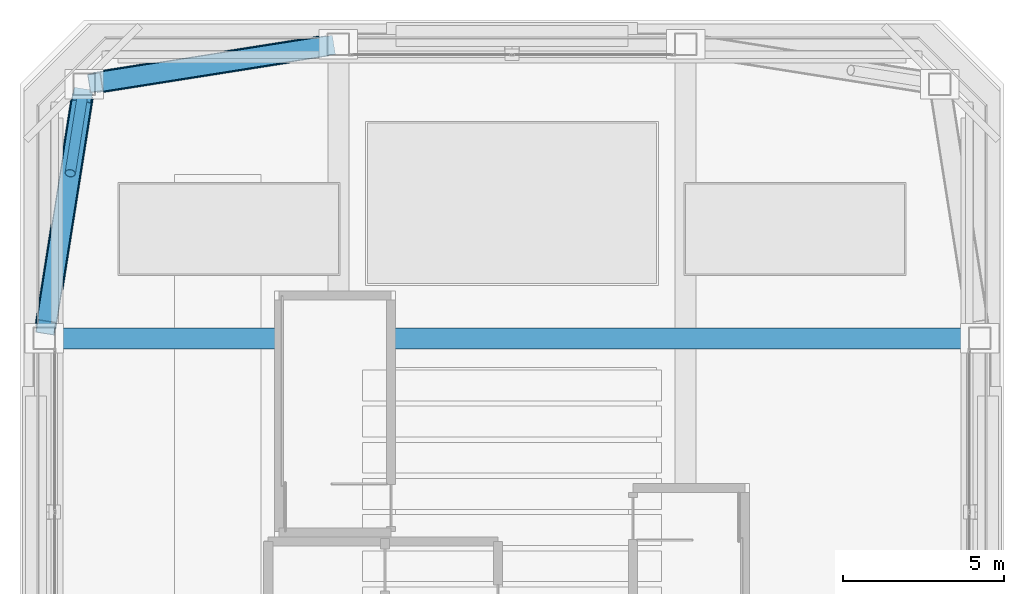
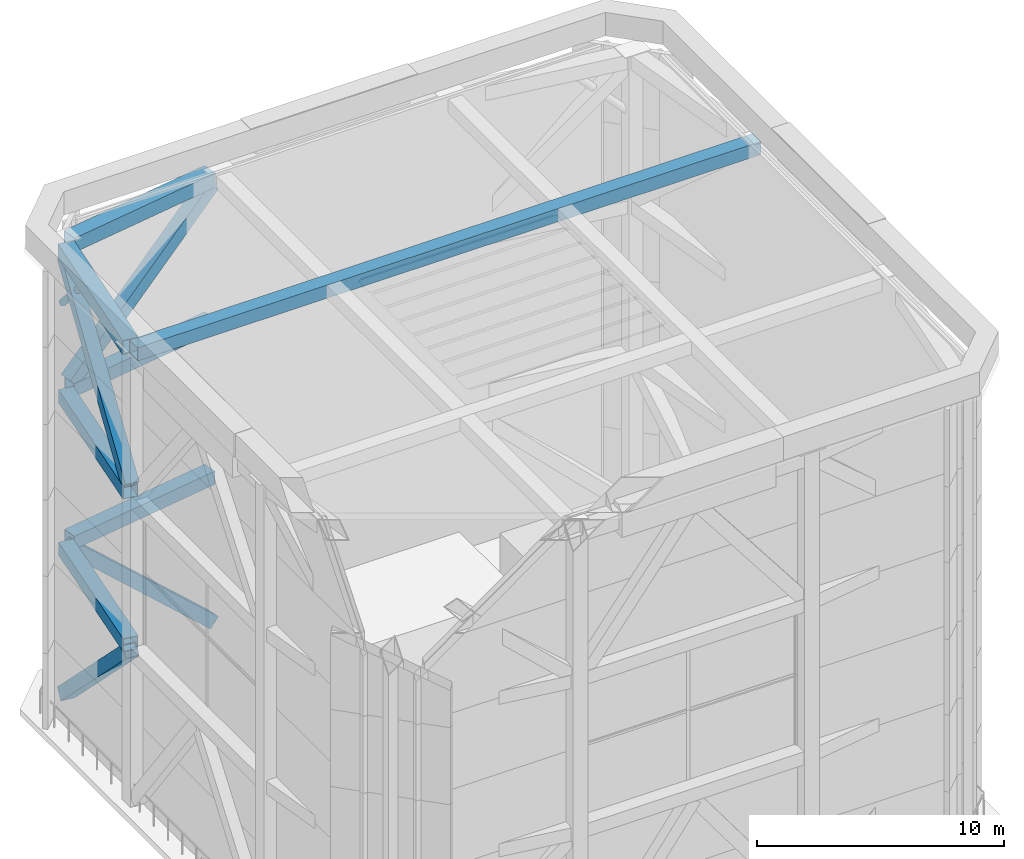
# One storey, part 16 of 28: 7 beams, 5 members.
"""IFC4 building model written with IfcOpenShell, lengths in metres."""

from ifc_helpers import new_model, si_unit, direction, frame, origin, origin_2d, place, context, subcontext, project, spatial, hollow_rectangle, hollow_circle, extrude, material, material_profile, profile_set, type_object, element, save


model = new_model("IFC4")

# Units and contexts
model_context = context("Model", 3, precision=1e-05, world=origin(), true_north=direction((0.0, 1.0)))
body_context = subcontext(model_context, "Body", "Model", "MODEL_VIEW")
ifc_project = project(units=[si_unit("LENGTHUNIT", "METRE"), si_unit("AREAUNIT", "SQUARE_METRE"), si_unit("VOLUMEUNIT", "CUBIC_METRE"), si_unit("PLANEANGLEUNIT", "RADIAN"), si_unit("MASSUNIT", "GRAM", prefix="KILO")], contexts=[model_context])

# Site, building, storey
site_placement = place(None, origin())
site = spatial("IfcSite", under=ifc_project, at=site_placement, CompositionType="ELEMENT")
building_placement = place(site_placement, origin())
building = spatial("IfcBuilding", under=site, at=building_placement, Name="Tashvorn Skyway Center", CompositionType="ELEMENT")
storey_placement = place(building_placement, frame((0.0, 0.0, 277.60009765625)))
storey = spatial("IfcBuildingStorey", under=building, at=storey_placement, Name="Roof Level", CompositionType="ELEMENT", Elevation=277.60009765625)

# Beams
ifc_material = material(Name="Steel ASTM A572 Grade 50", Category="steel")
ifc_material_profile_1 = material_profile(ifc_material, hollow_rectangle(XDim=0.64990234375, YDim=0.64990234375, WallThickness=0.02490234375, at=origin_2d()), Name="BOX650x650x25")
ifc_profile_set_1 = profile_set([ifc_material_profile_1], Name="Steel ASTM A572 Grade 50")
beam_type_1 = type_object("IfcBeamType", Name="BM-BEAM-BOX650x650x25", PredefinedType="BEAM", material=ifc_profile_set_1)
for number, where, z_axis, x_axis, name in (
    (1, (36.25927734375, 46.49609375, 7.52978515625), (-0.987713891031, -0.156273060583, 0.0), (0.156273060583, -0.987713891031, 0.0), "CROWN FRAME Tower 1 Lower-Tier Ring Beam 09"),
    (2, (36.25927734375, 46.49609375, 15.059814453125), (-0.987713891031, -0.156273060583, 0.0), (0.156273060583, -0.987713891031, 0.0), "CROWN FRAME Tower 1 Upper-Tier Ring Beam 09"),
    (3, (28.64599609375, 44.959228515625, 7.52978515625), (-0.156273060583, -0.987713891031, 0.0), (0.987713891031, -0.156273060583, 0.0), "CROWN FRAME Tower 1 Lower-Tier Ring Beam 10"),
    (4, (28.64599609375, 44.959228515625, 15.059814453125), (-0.156273060583, -0.987713891031, 0.0), (0.987713891031, -0.156273060583, 0.0), "CROWN FRAME Tower 1 Upper-Tier Ring Beam 10"),
):
    element("IfcBeam", number, at=place(storey_placement, frame(where, z_axis=z_axis, x_axis=x_axis)), inside=storey, type_object=beam_type_1, Name=name, PredefinedType="BEAM", context=body_context, shape_type="SweptSolid", body=[
        extrude(hollow_rectangle(XDim=0.64990234375, YDim=0.64990234375, WallThickness=0.02490234375, at=origin_2d()), origin(), (0.0, 0.0, 1.0), 7.308349609375),
    ])
beam_placement = place(storey_placement, frame((27.449951171875, 37.39990234375, 22.239990234375), z_axis=(1.0, 0.0, 0.0), x_axis=(0.0, 1.0, 0.0)))
element("IfcBeam", 5, at=beam_placement, inside=storey, type_object=beam_type_1, Name="CROWN FRAME Tower 1 Cap Support Girder EW2", PredefinedType="BEAM", context=body_context, shape_type="SweptSolid", body=[
    extrude(hollow_rectangle(XDim=0.64990234375, YDim=0.64990234375, WallThickness=0.02490234375, at=origin_2d()), origin(), (0.0, 0.0, 1.0), 29.10009765625),
])
ifc_material_profile_2 = material_profile(ifc_material, hollow_rectangle(XDim=0.699951171875, YDim=0.699951171875, WallThickness=0.028076171875, at=origin_2d()), Name="BOX700x700x28")
ifc_profile_set_2 = profile_set([ifc_material_profile_2], Name="Steel ASTM A572 Grade 50")
beam_type_2 = type_object("IfcBeamType", Name="BM-BEAM-BOX700x700x28", PredefinedType="BEAM", material=ifc_profile_set_2)
for number, where, z_axis, x_axis, name in (
    (6, (36.25927734375, 46.49609375, 22.239990234375), (-0.987713891031, -0.156273060583, 0.0), (0.156273060583, -0.987713891031, 0.0), "CROWN FRAME Tower 1 Top Cap Ring Beam 09"),
    (7, (28.64599609375, 44.959228515625, 22.239990234375), (-0.156273060583, -0.987713891031, 0.0), (0.987713891031, -0.156273060583, 0.0), "CROWN FRAME Tower 1 Top Cap Ring Beam 10"),
):
    element("IfcBeam", number, at=place(storey_placement, frame(where, z_axis=z_axis, x_axis=x_axis)), inside=storey, type_object=beam_type_2, Name=name, PredefinedType="BEAM", context=body_context, shape_type="SweptSolid", body=[
        extrude(hollow_rectangle(XDim=0.699951171875, YDim=0.699951171875, WallThickness=0.028076171875, at=origin_2d()), origin(), (0.0, 0.0, 1.0), 7.308349609375),
    ])

# Members
ifc_material_profile_3 = material_profile(ifc_material, hollow_rectangle(XDim=0.60009765625, YDim=0.60009765625, WallThickness=0.02490234375, at=origin_2d()), Name="BOX600x600x25")
ifc_profile_set_3 = profile_set([ifc_material_profile_3], Name="Steel ASTM A572 Grade 50")
member_type_1 = type_object("IfcMemberType", Name="MEM-CF-BRC-600", PredefinedType="BRACE", material=ifc_profile_set_3)
member_1_placement = place(storey_placement, frame((36.25927734375, 46.49609375, 0.349853515625), z_axis=(-0.720152058307, -0.113940248546, 0.684396546365), x_axis=(0.156273060583, -0.987713891031, 0.0)))
element("IfcMember", 8, at=member_1_placement, inside=storey, type_object=member_type_1, Name="CROWN FRAME Tower 1 Lower Portal Brace 09", PredefinedType="BRACE", context=body_context, shape_type="SweptSolid", body=[
    extrude(hollow_rectangle(XDim=0.60009765625, YDim=0.60009765625, WallThickness=0.02490234375, at=origin_2d()), origin(), (0.0, 0.0, 1.0), 10.023681640625),
])
member_2_placement = place(storey_placement, frame((29.040771484375, 45.35400390625, 15.3798828125), z_axis=(0.737035724004, 0.116611530317, 0.665717727373), x_axis=(-0.156273060583, 0.987713891031, 0.0)))
element("IfcMember", 9, at=member_2_placement, inside=storey, type_object=member_type_1, Name="CROWN FRAME Tower 1 Upper Portal Brace 09", PredefinedType="BRACE", context=body_context, shape_type="SweptSolid", body=[
    extrude(hollow_rectangle(XDim=0.60009765625, YDim=0.60009765625, WallThickness=0.02490234375, at=origin_2d()), origin(), (0.0, 0.0, 1.0), 9.7939453125),
])
member_3_placement = place(storey_placement, frame((28.64599609375, 44.959228515625, 0.349853515625), z_axis=(-0.113940248546, -0.720152058307, 0.684396546365), x_axis=(0.987713891031, -0.156273060583, 0.0)))
element("IfcMember", 10, at=member_3_placement, inside=storey, type_object=member_type_1, Name="CROWN FRAME Tower 1 Lower Portal Brace 10", PredefinedType="BRACE", context=body_context, shape_type="SweptSolid", body=[
    extrude(hollow_rectangle(XDim=0.60009765625, YDim=0.60009765625, WallThickness=0.02490234375, at=origin_2d()), origin(), (0.0, 0.0, 1.0), 10.023681640625),
])
member_4_placement = place(storey_placement, frame((27.50390625, 37.74072265625, 15.3798828125), z_axis=(0.116611530317, 0.737035724004, 0.665717727373), x_axis=(-0.987713891031, 0.156273060583, 0.0)))
element("IfcMember", 11, at=member_4_placement, inside=storey, type_object=member_type_1, Name="CROWN FRAME Tower 1 Upper Portal Brace 10", PredefinedType="BRACE", context=body_context, shape_type="SweptSolid", body=[
    extrude(hollow_rectangle(XDim=0.60009765625, YDim=0.60009765625, WallThickness=0.02490234375, at=origin_2d()), origin(), (0.0, 0.0, 1.0), 9.7939453125),
])
ifc_material_profile_4 = material_profile(ifc_material, hollow_circle(Radius=0.162109375, WallThickness=0.01611328125, at=origin_2d()), Name="CHS324x16")
ifc_profile_set_4 = profile_set([ifc_material_profile_4], Name="Steel ASTM A572 Grade 50")
member_type_2 = type_object("IfcMemberType", Name="MEM-ST-324", PredefinedType="STRUT", material=ifc_profile_set_4)
member_5_placement = place(storey_placement, frame((28.699951171875, 45.300048828125, 19.389892578125), z_axis=(-0.109510452469, -0.692140281618, 0.713406820378), x_axis=(0.987713419374, -0.156276041632, 0.0)))
element("IfcMember", 12, at=member_5_placement, inside=storey, type_object=member_type_2, Name="CROWN FRAME Tower 1 Corner Knee-Strut 4", PredefinedType="STRUT", context=body_context, shape_type="SweptSolid", body=[
    extrude(hollow_circle(Radius=0.162109375, WallThickness=0.01611328125, at=origin_2d()), origin(), (0.0, 0.0, 1.0), 3.9951171875),
])

save(model, "model.ifc")
